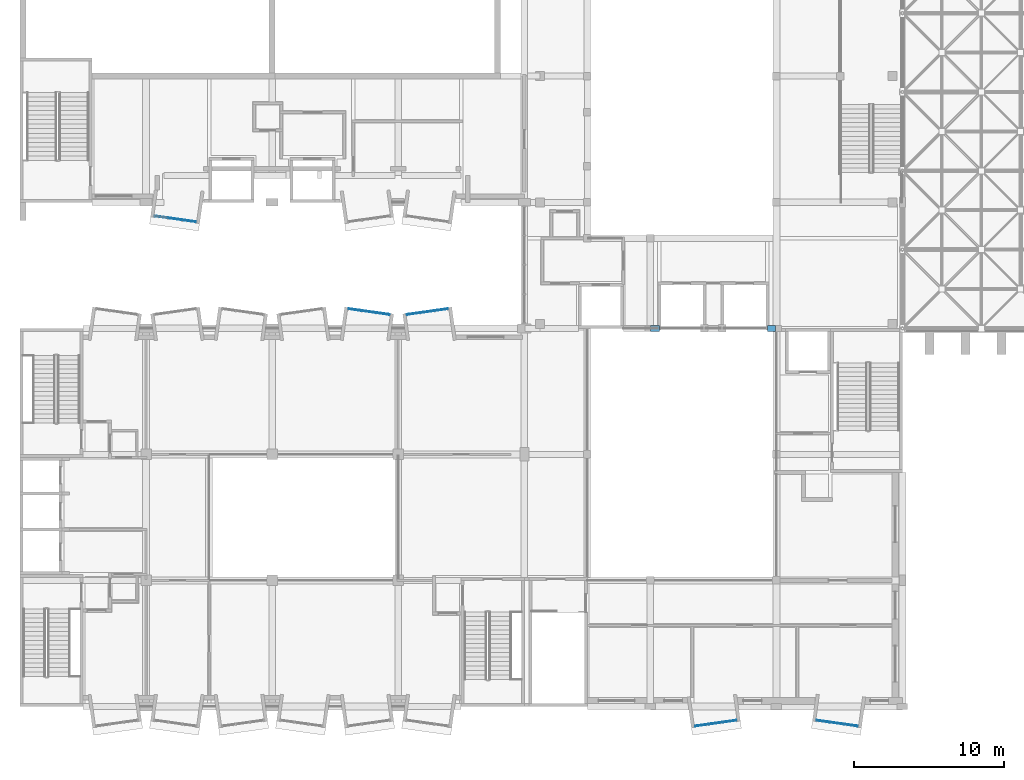
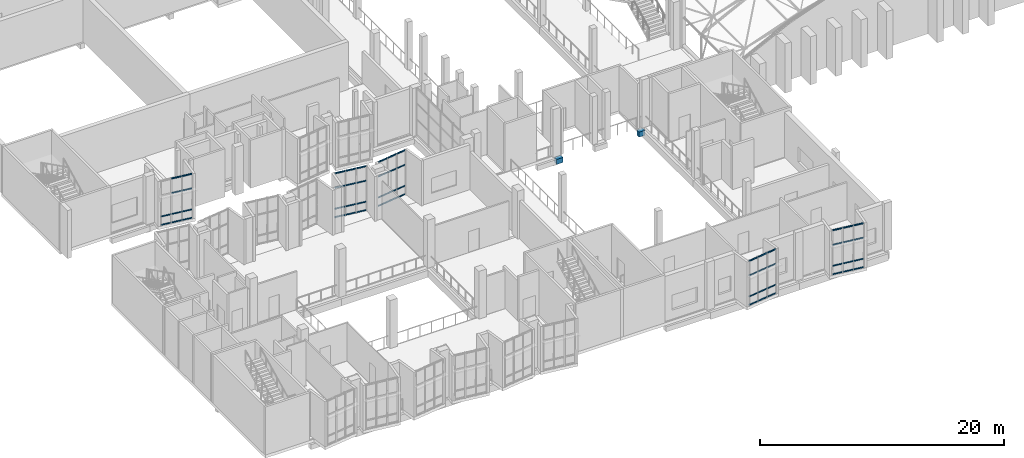
# One storey, part 48 of 100: 58 members, 2 beams, 5 elements without a shape of their own.
"""IFC4 building model written with IfcOpenShell, lengths in metres."""

import ifcopenshell
import ifcopenshell.guid

model = None  # the IFC model being written
_history = None  # IfcOwnerHistory: only IFC2X3 demands one
_inside = {}  # id of a spatial element -> (the spatial element, [elements in it])
_under = {}  # id of a project, library or spatial element -> (it, [spatial elements below it])
_declared = {}  # id of a project -> (the project, [libraries it declares])
_typed = {}  # id of a type object -> (the type object, [elements of that type])
_made_of = {}  # id of a material, layer set ... -> (it, [elements and type objects made of it])


def new_model(schema):
    """Start an empty IFC model of exactly this schema.

    Asked for "IFC4X3", IfcOpenShell would pick the latest addendum, in which some entities
    have other attributes; the version numbers below select the first issue.
    IFC2X3 requires an IfcOwnerHistory on every rooted entity: one is made here for all.
    """
    global model, _history
    if schema == "IFC4X3":
        model = ifcopenshell.file(schema_version=(4, 3, 0, 0))
    else:
        model = ifcopenshell.file(schema=schema)
    _inside.clear()
    _under.clear()
    _declared.clear()
    _typed.clear()
    _made_of.clear()
    _history = None
    if model.schema == "IFC2X3":
        org = make("IfcOrganization", Name="unknown")
        user = make(
            "IfcPersonAndOrganization",
            ThePerson=make("IfcPerson", FamilyName="unknown"),
            TheOrganization=org,
        )
        app = make(
            "IfcApplication",
            ApplicationDeveloper=org,
            Version="unknown",
            ApplicationFullName="unknown",
            ApplicationIdentifier="unknown",
        )
        _history = make(
            "IfcOwnerHistory",
            OwningUser=user,
            OwningApplication=app,
            ChangeAction="ADDED",
            CreationDate=0,
        )
    return model


def make(cls, **values):
    """One entity of the class cls with the attributes given. An attribute that is None is left unset."""
    return model.create_entity(
        cls, **{name: value for name, value in values.items() if value is not None}
    )


def rooted(cls, **values):
    """An entity with a GlobalId (a new one), such as an element, a storey or a relation."""
    return make(cls, GlobalId=ifcopenshell.guid.new(), OwnerHistory=_history, **values)


def si_unit(unit_type, name, prefix=None):
    """IfcSIUnit, for example si_unit("LENGTHUNIT", "METRE", prefix="MILLI")."""
    return make("IfcSIUnit", UnitType=unit_type, Prefix=prefix, Name=name)


def assignment(units):
    """IfcUnitAssignment: the units of a project."""
    return None if units is None else make("IfcUnitAssignment", Units=units)


def point(xyz):
    """IfcCartesianPoint."""
    return None if xyz is None else make("IfcCartesianPoint", Coordinates=xyz)


def direction(xyz):
    """IfcDirection."""
    return None if xyz is None else make("IfcDirection", DirectionRatios=xyz)


def frame(location, z_axis=None, x_axis=None):
    """IfcAxis2Placement3D, a coordinate frame: its origin and axes. An axis left out is left unset."""
    return make(
        "IfcAxis2Placement3D",
        Location=point(location),
        Axis=direction(z_axis),
        RefDirection=direction(x_axis),
    )


def frame_2d(location, x_axis=None):
    """IfcAxis2Placement2D, a coordinate frame in the plane: its origin and x axis."""
    return make(
        "IfcAxis2Placement2D", Location=point(location), RefDirection=direction(x_axis)
    )


def origin():
    """The frame at (0, 0, 0) with its axes left unset."""
    return frame((0.0, 0.0, 0.0))


def origin_2d():
    """The frame at (0, 0) in the plane with its x axis left unset."""
    return frame_2d((0.0, 0.0))


def place(relative_to, where):
    """IfcLocalPlacement: puts the frame where relative to a parent placement (None: the world)."""
    return make(
        "IfcLocalPlacement", PlacementRelTo=relative_to, RelativePlacement=where
    )


def context(
    kind, dimensions, precision=None, world=None, true_north=None, identifier=None
):
    """IfcGeometricRepresentationContext, for example the 3D "Model" context."""
    return make(
        "IfcGeometricRepresentationContext",
        ContextIdentifier=identifier,
        ContextType=kind,
        CoordinateSpaceDimension=dimensions,
        Precision=precision,
        WorldCoordinateSystem=world,
        TrueNorth=true_north,
    )


def subcontext(parent, identifier, kind, view, scale=None):
    """IfcGeometricRepresentationSubContext, for example "Body" below "Model"."""
    return make(
        "IfcGeometricRepresentationSubContext",
        ContextIdentifier=identifier,
        ContextType=kind,
        ParentContext=parent,
        TargetScale=scale,
        TargetView=view,
    )


def project(units=None, contexts=None):
    """IfcProject with its units and contexts."""
    return rooted(
        "IfcProject",
        Name="project",
        RepresentationContexts=contexts,
        UnitsInContext=assignment(units),
    )


def spatial(cls, under=None, at=None, **own):
    """A site, building, storey or space (cls), placed at a placement, below another one or the project."""
    s = rooted(cls, ObjectPlacement=at, **own)
    if under is not None:
        _under.setdefault(under.id(), (under, []))[1].append(s)
    return s


def profile(cls, at=None, kind="AREA", **sizes):
    """A parametric profile (cls). Its sizes go by their IFC names, for example OverallWidth=200.0."""
    return make(cls, ProfileType=kind, Position=at, **sizes)


def rectangle(**sizes):
    """IfcRectangleProfileDef."""
    return profile("IfcRectangleProfileDef", **sizes)


def extrude(swept, where, along, depth):
    """IfcExtrudedAreaSolid: the profile swept, set in the frame where, extruded along a direction by depth."""
    return make(
        "IfcExtrudedAreaSolid",
        SweptArea=swept,
        Position=where,
        ExtrudedDirection=direction(along),
        Depth=depth,
    )


def shape(context_of_items, identifier, shape_type, items):
    """IfcShapeRepresentation: the items that make up one representation, for example the "Body"."""
    return make(
        "IfcShapeRepresentation",
        ContextOfItems=context_of_items,
        RepresentationIdentifier=identifier,
        RepresentationType=shape_type,
        Items=items,
    )


def material(Name=None, Category=None):
    """IfcMaterial."""
    return make("IfcMaterial", Name=Name, Category=Category)


def layer(
    of_material, thickness, ventilated=None, Name=None, Category=None, Priority=None
):
    """IfcMaterialLayer: one layer of a wall or slab, of a material (None: an air gap)."""
    return make(
        "IfcMaterialLayer",
        Material=of_material,
        LayerThickness=thickness,
        IsVentilated=ventilated,
        Name=Name,
        Category=Category,
        Priority=Priority,
    )


def layer_set(layers, Name=None):
    """IfcMaterialLayerSet."""
    return make("IfcMaterialLayerSet", MaterialLayers=layers, LayerSetName=Name)


def material_profile(
    of_material, cross_section, Name=None, Category=None, Priority=None
):
    """IfcMaterialProfile: a cross section and its material."""
    return make(
        "IfcMaterialProfile",
        Name=Name,
        Material=of_material,
        Profile=cross_section,
        Priority=Priority,
        Category=Category,
    )


def profile_set(profiles, Name=None, composite=None):
    """IfcMaterialProfileSet."""
    return make(
        "IfcMaterialProfileSet",
        Name=Name,
        MaterialProfiles=profiles,
        CompositeProfile=composite,
    )


def made_of(thing, what):
    """Note that an element or type object is made of a material, layer set ...; save() writes the relation."""
    if what is not None:
        _made_of.setdefault(what.id(), (what, []))[1].append(thing)
    return thing


def type_object(cls, material=None, **own):
    """A type object (cls), such as IfcWallType, which elements share."""
    return made_of(rooted(cls, **own), material)


def element(
    cls,
    number,
    at=None,
    inside=None,
    cuts=None,
    type_object=None,
    material=None,
    context=None,
    identifier="Body",
    shape_type=None,
    held_by="IfcProductDefinitionShape",
    body=None,
    shapes=None,
    **own,
):
    """One element of the class cls, such as IfcWall. Its Tag is "e" and its number.

    at: its placement. inside: the storey or other place that contains it. cuts: it is an
    opening in that element (IfcRelVoidsElement). A single representation is given by context,
    identifier, shape_type and body (its items); several are given by shapes. held_by: the class
    of the entity that holds the representations. save() writes the other relations.
    """
    e = rooted(cls, Tag="e%d" % number, ObjectPlacement=at, **own)
    if body is not None:
        shapes = [shape(context, identifier, shape_type, body)]
    if shapes is not None:
        e.Representation = make(held_by, Representations=shapes)
    if inside is not None:
        _inside.setdefault(inside.id(), (inside, []))[1].append(e)
    if cuts is not None:
        rooted(
            "IfcRelVoidsElement", RelatingBuildingElement=cuts, RelatedOpeningElement=e
        )
    if type_object is not None:
        _typed.setdefault(type_object.id(), (type_object, []))[1].append(e)
    return made_of(e, material)


def aggregate(whole, parts):
    """IfcRelAggregates: a whole, such as a stair, and the parts it consists of."""
    return rooted("IfcRelAggregates", RelatingObject=whole, RelatedObjects=parts)


def save(model, path):
    """Write the relations noted so far, then the file.

    IfcRelAggregates (storeys below a building ...), IfcRelContainedInSpatialStructure (elements
    in a storey), IfcRelDefinesByType, IfcRelAssociatesMaterial and IfcRelDeclares: one each for
    every whole, place, type object, material and project.
    """
    for whole, parts in _under.values():
        aggregate(whole, parts)
    for where, things in _inside.values():
        rooted(
            "IfcRelContainedInSpatialStructure",
            RelatedElements=things,
            RelatingStructure=where,
        )
    for kind, things in _typed.values():
        rooted("IfcRelDefinesByType", RelatedObjects=things, RelatingType=kind)
    for what, things in _made_of.values():
        rooted("IfcRelAssociatesMaterial", RelatedObjects=things, RelatingMaterial=what)
    for by, libraries in _declared.values():
        rooted("IfcRelDeclares", RelatingContext=by, RelatedDefinitions=libraries)
    model.write(path)


model = new_model("IFC4")

# Units and contexts
model_context = context("Model", 3, precision=1e-05, world=origin(), true_north=direction((0.0, 1.0)))
body_context = subcontext(model_context, "Body", "Model", "MODEL_VIEW")
ifc_project = project(units=[si_unit("LENGTHUNIT", "METRE"), si_unit("AREAUNIT", "SQUARE_METRE"), si_unit("VOLUMEUNIT", "CUBIC_METRE"), si_unit("PLANEANGLEUNIT", "RADIAN"), si_unit("MASSUNIT", "GRAM", prefix="KILO")], contexts=[model_context])

# Site, building, storey
site_placement = place(None, origin())
site = spatial("IfcSite", under=ifc_project, at=site_placement, CompositionType="ELEMENT")
building_placement = place(site_placement, origin())
building = spatial("IfcBuilding", under=site, at=building_placement, Name="Kiln Court Media Centre", CompositionType="ELEMENT")
storey_placement = place(building_placement, frame((0.0, 0.0, 15.0)))
storey = spatial("IfcBuildingStorey", under=building, at=storey_placement, Name="L03", CompositionType="ELEMENT", Elevation=15.0)

# Curtain wall, members
ifc_material_1 = material(Name="Aluminium 6063-T6", Category="aluminium")
ifc_layer = layer(ifc_material_1, 0.1201171875)
ifc_layer_set = layer_set([ifc_layer], Name="Aluminium unitised bay curtain wall")
curtain_wall_type = type_object("IfcCurtainWallType", Name="Aluminium unitised bay curtain wall", PredefinedType="USERDEFINED", material=ifc_layer_set)
curtain_wall_1_placement = place(storey_placement, origin())
curtain_wall_1 = element("IfcCurtainWall", 1, at=curtain_wall_1_placement, inside=storey, type_object=curtain_wall_type, Name="BAY V4-S-L03-17 front", ObjectType="UNITISED CURTAIN WALL", PredefinedType="USERDEFINED")
ifc_material_2 = material(Name="Aluminium 6063-T6", Category="aluminium")
ifc_material_profile_1 = material_profile(ifc_material_2, rectangle(XDim=0.06005859375, YDim=0.1201171875, at=origin_2d()), Name="Aluminium transom 60x120")
ifc_profile_set_1 = profile_set([ifc_material_profile_1], Name="Aluminium 6063-T6")
member_type = type_object("IfcMemberType", Name="Aluminium transom 60x120", PredefinedType="USERDEFINED", material=ifc_profile_set_1)
member_1_placement = place(storey_placement, frame((8.982421875, 32.68212890625, 0.06005859375), z_axis=(0.990273563383, -0.139133998951, 0.0), x_axis=(0.139133998951, 0.990273563383, 0.0)))
member_1 = element("IfcMember", 2, at=member_1_placement, type_object=member_type, Name="CW3-01 transom 1.1", ObjectType="TRANSOM", PredefinedType="USERDEFINED", context=body_context, shape_type="SweptSolid", body=[
    extrude(rectangle(XDim=0.06005859375, YDim=0.1201171875, at=origin_2d()), origin(), (0.0, 0.0, 1.0), 0.866943359375),
])
member_2_placement = place(storey_placement, frame((8.982421875, 32.68212890625, 0.89990234375), z_axis=(0.990273563383, -0.139133998951, 0.0), x_axis=(0.139133998951, 0.990273563383, 0.0)))
member_2 = element("IfcMember", 3, at=member_2_placement, type_object=member_type, Name="CW3-01 transom 1.2", ObjectType="TRANSOM", PredefinedType="USERDEFINED", context=body_context, shape_type="SweptSolid", body=[
    extrude(rectangle(XDim=0.06005859375, YDim=0.1201171875, at=origin_2d()), origin(), (0.0, 0.0, 1.0), 0.866943359375),
])
member_3_placement = place(storey_placement, frame((9.900146484375, 32.55322265625, 0.06005859375), z_axis=(0.990273584723, -0.13913384707, 0.0), x_axis=(0.13913384707, 0.990273584723, 0.0)))
member_3 = element("IfcMember", 4, at=member_3_placement, type_object=member_type, Name="CW3-01 transom 2.1", ObjectType="TRANSOM", PredefinedType="USERDEFINED", context=body_context, shape_type="SweptSolid", body=[
    extrude(rectangle(XDim=0.06005859375, YDim=0.1201171875, at=origin_2d()), origin(), (0.0, 0.0, 1.0), 0.896728515625),
])
member_4_placement = place(storey_placement, frame((9.900146484375, 32.55322265625, 0.89990234375), z_axis=(0.990273584723, -0.13913384707, 0.0), x_axis=(0.13913384707, 0.990273584723, 0.0)))
member_4 = element("IfcMember", 5, at=member_4_placement, type_object=member_type, Name="CW3-01 transom 2.2", ObjectType="TRANSOM", PredefinedType="USERDEFINED", context=body_context, shape_type="SweptSolid", body=[
    extrude(rectangle(XDim=0.06005859375, YDim=0.1201171875, at=origin_2d()), origin(), (0.0, 0.0, 1.0), 0.896728515625),
])
member_5_placement = place(storey_placement, frame((9.900146484375, 32.55322265625, 3.0), z_axis=(0.990273584723, -0.13913384707, 0.0), x_axis=(0.13913384707, 0.990273584723, 0.0)))
member_5 = element("IfcMember", 6, at=member_5_placement, type_object=member_type, Name="CW3-01 transom 2.3", ObjectType="TRANSOM", PredefinedType="USERDEFINED", context=body_context, shape_type="SweptSolid", body=[
    extrude(rectangle(XDim=0.06005859375, YDim=0.1201171875, at=origin_2d()), origin(), (0.0, 0.0, 1.0), 0.896728515625),
])
member_6_placement = place(storey_placement, frame((9.900146484375, 32.55322265625, 4.43994140625), z_axis=(0.990273584723, -0.13913384707, 0.0), x_axis=(0.13913384707, 0.990273584723, 0.0)))
member_6 = element("IfcMember", 7, at=member_6_placement, type_object=member_type, Name="CW3-01 transom 2.4", ObjectType="TRANSOM", PredefinedType="USERDEFINED", context=body_context, shape_type="SweptSolid", body=[
    extrude(rectangle(XDim=0.06005859375, YDim=0.1201171875, at=origin_2d()), origin(), (0.0, 0.0, 1.0), 0.896728515625),
])
member_7_placement = place(storey_placement, frame((10.84765625, 32.420166015625, 0.06005859375), z_axis=(0.990268108888, -0.139172815303, 0.0), x_axis=(0.139172815303, 0.990268108888, 0.0)))
member_7 = element("IfcMember", 8, at=member_7_placement, type_object=member_type, Name="CW3-01 transom 3.1", ObjectType="TRANSOM", PredefinedType="USERDEFINED", context=body_context, shape_type="SweptSolid", body=[
    extrude(rectangle(XDim=0.06005859375, YDim=0.1201171875, at=origin_2d()), origin(), (0.0, 0.0, 1.0), 0.86669921875),
])
member_8_placement = place(storey_placement, frame((10.84765625, 32.420166015625, 0.89990234375), z_axis=(0.990268108888, -0.139172815303, 0.0), x_axis=(0.139172815303, 0.990268108888, 0.0)))
member_8 = element("IfcMember", 9, at=member_8_placement, type_object=member_type, Name="CW3-01 transom 3.2", ObjectType="TRANSOM", PredefinedType="USERDEFINED", context=body_context, shape_type="SweptSolid", body=[
    extrude(rectangle(XDim=0.06005859375, YDim=0.1201171875, at=origin_2d()), origin(), (0.0, 0.0, 1.0), 0.86669921875),
])
member_9_placement = place(storey_placement, frame((10.84765625, 32.420166015625, 3.0), z_axis=(0.990268108888, -0.139172815303, 0.0), x_axis=(0.139172815303, 0.990268108888, 0.0)))
member_9 = element("IfcMember", 10, at=member_9_placement, type_object=member_type, Name="CW3-01 transom 3.3", ObjectType="TRANSOM", PredefinedType="USERDEFINED", context=body_context, shape_type="SweptSolid", body=[
    extrude(rectangle(XDim=0.06005859375, YDim=0.1201171875, at=origin_2d()), origin(), (0.0, 0.0, 1.0), 0.86669921875),
])
member_10_placement = place(storey_placement, frame((10.84765625, 32.420166015625, 4.43994140625), z_axis=(0.990268108888, -0.139172815303, 0.0), x_axis=(0.139172815303, 0.990268108888, 0.0)))
member_10 = element("IfcMember", 11, at=member_10_placement, type_object=member_type, Name="CW3-01 transom 3.4", ObjectType="TRANSOM", PredefinedType="USERDEFINED", context=body_context, shape_type="SweptSolid", body=[
    extrude(rectangle(XDim=0.06005859375, YDim=0.1201171875, at=origin_2d()), origin(), (0.0, 0.0, 1.0), 0.86669921875),
])
aggregate(curtain_wall_1, [member_1, member_2, member_3, member_4, member_5, member_6, member_7, member_8, member_9, member_10])

curtain_wall_2_placement = place(storey_placement, origin())
curtain_wall_2 = element("IfcCurtainWall", 12, at=curtain_wall_2_placement, inside=storey, type_object=curtain_wall_type, Name="BAY V6A-N-L03-20 front", ObjectType="UNITISED CURTAIN WALL", PredefinedType="USERDEFINED")
member_11_placement = place(storey_placement, frame((21.894287109375, 26.50048828125, 0.06005859375), z_axis=(0.990268108888, -0.139172815303, 0.0), x_axis=(0.139172815303, 0.990268108888, 0.0)))
member_11 = element("IfcMember", 13, at=member_11_placement, type_object=member_type, Name="CW3-08 transom 1.1", ObjectType="TRANSOM", PredefinedType="USERDEFINED", context=body_context, shape_type="SweptSolid", body=[
    extrude(rectangle(XDim=0.06005859375, YDim=0.1201171875, at=origin_2d()), origin(), (0.0, 0.0, 1.0), 0.86669921875),
])
member_12_placement = place(storey_placement, frame((21.894287109375, 26.50048828125, 0.89990234375), z_axis=(0.990268108888, -0.139172815303, 0.0), x_axis=(0.139172815303, 0.990268108888, 0.0)))
member_12 = element("IfcMember", 14, at=member_12_placement, type_object=member_type, Name="CW3-08 transom 1.2", ObjectType="TRANSOM", PredefinedType="USERDEFINED", context=body_context, shape_type="SweptSolid", body=[
    extrude(rectangle(XDim=0.06005859375, YDim=0.1201171875, at=origin_2d()), origin(), (0.0, 0.0, 1.0), 0.86669921875),
])
member_13_placement = place(storey_placement, frame((21.894287109375, 26.50048828125, 3.0), z_axis=(0.990268108888, -0.139172815303, 0.0), x_axis=(0.139172815303, 0.990268108888, 0.0)))
member_13 = element("IfcMember", 15, at=member_13_placement, type_object=member_type, Name="CW3-08 transom 1.3", ObjectType="TRANSOM", PredefinedType="USERDEFINED", context=body_context, shape_type="SweptSolid", body=[
    extrude(rectangle(XDim=0.06005859375, YDim=0.1201171875, at=origin_2d()), origin(), (0.0, 0.0, 1.0), 0.86669921875),
])
member_14_placement = place(storey_placement, frame((21.894287109375, 26.50048828125, 4.43994140625), z_axis=(0.990268108888, -0.139172815303, 0.0), x_axis=(0.139172815303, 0.990268108888, 0.0)))
member_14 = element("IfcMember", 16, at=member_14_placement, type_object=member_type, Name="CW3-08 transom 1.4", ObjectType="TRANSOM", PredefinedType="USERDEFINED", context=body_context, shape_type="SweptSolid", body=[
    extrude(rectangle(XDim=0.06005859375, YDim=0.1201171875, at=origin_2d()), origin(), (0.0, 0.0, 1.0), 0.86669921875),
])
member_15_placement = place(storey_placement, frame((22.811767578125, 26.37158203125, 0.06005859375), z_axis=(0.990273584723, -0.13913384707, 0.0), x_axis=(0.13913384707, 0.990273584723, 0.0)))
member_15 = element("IfcMember", 17, at=member_15_placement, type_object=member_type, Name="CW3-08 transom 2.1", ObjectType="TRANSOM", PredefinedType="USERDEFINED", context=body_context, shape_type="SweptSolid", body=[
    extrude(rectangle(XDim=0.06005859375, YDim=0.1201171875, at=origin_2d()), origin(), (0.0, 0.0, 1.0), 0.896728515625),
])
member_16_placement = place(storey_placement, frame((22.811767578125, 26.37158203125, 0.89990234375), z_axis=(0.990273584723, -0.13913384707, 0.0), x_axis=(0.13913384707, 0.990273584723, 0.0)))
member_16 = element("IfcMember", 18, at=member_16_placement, type_object=member_type, Name="CW3-08 transom 2.2", ObjectType="TRANSOM", PredefinedType="USERDEFINED", context=body_context, shape_type="SweptSolid", body=[
    extrude(rectangle(XDim=0.06005859375, YDim=0.1201171875, at=origin_2d()), origin(), (0.0, 0.0, 1.0), 0.896728515625),
])
member_17_placement = place(storey_placement, frame((22.811767578125, 26.37158203125, 3.0), z_axis=(0.990273584723, -0.13913384707, 0.0), x_axis=(0.13913384707, 0.990273584723, 0.0)))
member_17 = element("IfcMember", 19, at=member_17_placement, type_object=member_type, Name="CW3-08 transom 2.3", ObjectType="TRANSOM", PredefinedType="USERDEFINED", context=body_context, shape_type="SweptSolid", body=[
    extrude(rectangle(XDim=0.06005859375, YDim=0.1201171875, at=origin_2d()), origin(), (0.0, 0.0, 1.0), 0.896728515625),
])
member_18_placement = place(storey_placement, frame((22.811767578125, 26.37158203125, 4.43994140625), z_axis=(0.990273584723, -0.13913384707, 0.0), x_axis=(0.13913384707, 0.990273584723, 0.0)))
member_18 = element("IfcMember", 20, at=member_18_placement, type_object=member_type, Name="CW3-08 transom 2.4", ObjectType="TRANSOM", PredefinedType="USERDEFINED", context=body_context, shape_type="SweptSolid", body=[
    extrude(rectangle(XDim=0.06005859375, YDim=0.1201171875, at=origin_2d()), origin(), (0.0, 0.0, 1.0), 0.896728515625),
])
member_19_placement = place(storey_placement, frame((23.75927734375, 26.23828125, 0.06005859375), z_axis=(0.990268108888, -0.139172815303, 0.0), x_axis=(0.139172815303, 0.990268108888, 0.0)))
member_19 = element("IfcMember", 21, at=member_19_placement, type_object=member_type, Name="CW3-08 transom 3.1", ObjectType="TRANSOM", PredefinedType="USERDEFINED", context=body_context, shape_type="SweptSolid", body=[
    extrude(rectangle(XDim=0.06005859375, YDim=0.1201171875, at=origin_2d()), origin(), (0.0, 0.0, 1.0), 0.86669921875),
])
member_20_placement = place(storey_placement, frame((23.75927734375, 26.23828125, 0.89990234375), z_axis=(0.990268108888, -0.139172815303, 0.0), x_axis=(0.139172815303, 0.990268108888, 0.0)))
member_20 = element("IfcMember", 22, at=member_20_placement, type_object=member_type, Name="CW3-08 transom 3.2", ObjectType="TRANSOM", PredefinedType="USERDEFINED", context=body_context, shape_type="SweptSolid", body=[
    extrude(rectangle(XDim=0.06005859375, YDim=0.1201171875, at=origin_2d()), origin(), (0.0, 0.0, 1.0), 0.86669921875),
])
member_21_placement = place(storey_placement, frame((23.75927734375, 26.23828125, 3.0), z_axis=(0.990268108888, -0.139172815303, 0.0), x_axis=(0.139172815303, 0.990268108888, 0.0)))
member_21 = element("IfcMember", 23, at=member_21_placement, type_object=member_type, Name="CW3-08 transom 3.3", ObjectType="TRANSOM", PredefinedType="USERDEFINED", context=body_context, shape_type="SweptSolid", body=[
    extrude(rectangle(XDim=0.06005859375, YDim=0.1201171875, at=origin_2d()), origin(), (0.0, 0.0, 1.0), 0.86669921875),
])
member_22_placement = place(storey_placement, frame((23.75927734375, 26.23828125, 4.43994140625), z_axis=(0.990268108888, -0.139172815303, 0.0), x_axis=(0.139172815303, 0.990268108888, 0.0)))
member_22 = element("IfcMember", 24, at=member_22_placement, type_object=member_type, Name="CW3-08 transom 3.4", ObjectType="TRANSOM", PredefinedType="USERDEFINED", context=body_context, shape_type="SweptSolid", body=[
    extrude(rectangle(XDim=0.06005859375, YDim=0.1201171875, at=origin_2d()), origin(), (0.0, 0.0, 1.0), 0.86669921875),
])
aggregate(curtain_wall_2, [member_11, member_12, member_13, member_14, member_15, member_16, member_17, member_18, member_19, member_20, member_21, member_22])

curtain_wall_3_placement = place(storey_placement, origin())
curtain_wall_3 = element("IfcCurtainWall", 25, at=curtain_wall_3_placement, inside=storey, type_object=curtain_wall_type, Name="BAY V6A-N-L03-21 front", ObjectType="UNITISED CURTAIN WALL", PredefinedType="USERDEFINED")
member_23_placement = place(storey_placement, frame((25.782470703125, 26.11767578125, 0.06005859375), z_axis=(0.990273563383, 0.139133998951, 0.0), x_axis=(-0.139133998951, 0.990273563383, 0.0)))
member_23 = element("IfcMember", 26, at=member_23_placement, type_object=member_type, Name="CW3-09 transom 1.1", ObjectType="TRANSOM", PredefinedType="USERDEFINED", context=body_context, shape_type="SweptSolid", body=[
    extrude(rectangle(XDim=0.06005859375, YDim=0.1201171875, at=origin_2d()), origin(), (0.0, 0.0, 1.0), 0.866943359375),
])
member_24_placement = place(storey_placement, frame((25.782470703125, 26.11767578125, 0.89990234375), z_axis=(0.990273563383, 0.139133998951, 0.0), x_axis=(-0.139133998951, 0.990273563383, 0.0)))
member_24 = element("IfcMember", 27, at=member_24_placement, type_object=member_type, Name="CW3-09 transom 1.2", ObjectType="TRANSOM", PredefinedType="USERDEFINED", context=body_context, shape_type="SweptSolid", body=[
    extrude(rectangle(XDim=0.06005859375, YDim=0.1201171875, at=origin_2d()), origin(), (0.0, 0.0, 1.0), 0.866943359375),
])
member_25_placement = place(storey_placement, frame((25.782470703125, 26.11767578125, 3.0), z_axis=(0.990273563383, 0.139133998951, 0.0), x_axis=(-0.139133998951, 0.990273563383, 0.0)))
member_25 = element("IfcMember", 28, at=member_25_placement, type_object=member_type, Name="CW3-09 transom 1.3", ObjectType="TRANSOM", PredefinedType="USERDEFINED", context=body_context, shape_type="SweptSolid", body=[
    extrude(rectangle(XDim=0.06005859375, YDim=0.1201171875, at=origin_2d()), origin(), (0.0, 0.0, 1.0), 0.866943359375),
])
member_26_placement = place(storey_placement, frame((25.782470703125, 26.11767578125, 4.43994140625), z_axis=(0.990273563383, 0.139133998951, 0.0), x_axis=(-0.139133998951, 0.990273563383, 0.0)))
member_26 = element("IfcMember", 29, at=member_26_placement, type_object=member_type, Name="CW3-09 transom 1.4", ObjectType="TRANSOM", PredefinedType="USERDEFINED", context=body_context, shape_type="SweptSolid", body=[
    extrude(rectangle(XDim=0.06005859375, YDim=0.1201171875, at=origin_2d()), origin(), (0.0, 0.0, 1.0), 0.866943359375),
])
member_27_placement = place(storey_placement, frame((26.7001953125, 26.246826171875, 0.06005859375), z_axis=(0.990273584723, 0.13913384707, 0.0), x_axis=(-0.13913384707, 0.990273584723, 0.0)))
member_27 = element("IfcMember", 30, at=member_27_placement, type_object=member_type, Name="CW3-09 transom 2.1", ObjectType="TRANSOM", PredefinedType="USERDEFINED", context=body_context, shape_type="SweptSolid", body=[
    extrude(rectangle(XDim=0.06005859375, YDim=0.1201171875, at=origin_2d()), origin(), (0.0, 0.0, 1.0), 0.896728515625),
])
member_28_placement = place(storey_placement, frame((26.7001953125, 26.246826171875, 0.89990234375), z_axis=(0.990273584723, 0.13913384707, 0.0), x_axis=(-0.13913384707, 0.990273584723, 0.0)))
member_28 = element("IfcMember", 31, at=member_28_placement, type_object=member_type, Name="CW3-09 transom 2.2", ObjectType="TRANSOM", PredefinedType="USERDEFINED", context=body_context, shape_type="SweptSolid", body=[
    extrude(rectangle(XDim=0.06005859375, YDim=0.1201171875, at=origin_2d()), origin(), (0.0, 0.0, 1.0), 0.896728515625),
])
member_29_placement = place(storey_placement, frame((26.7001953125, 26.246826171875, 3.0), z_axis=(0.990273584723, 0.13913384707, 0.0), x_axis=(-0.13913384707, 0.990273584723, 0.0)))
member_29 = element("IfcMember", 32, at=member_29_placement, type_object=member_type, Name="CW3-09 transom 2.3", ObjectType="TRANSOM", PredefinedType="USERDEFINED", context=body_context, shape_type="SweptSolid", body=[
    extrude(rectangle(XDim=0.06005859375, YDim=0.1201171875, at=origin_2d()), origin(), (0.0, 0.0, 1.0), 0.896728515625),
])
member_30_placement = place(storey_placement, frame((26.7001953125, 26.246826171875, 4.43994140625), z_axis=(0.990273584723, 0.13913384707, 0.0), x_axis=(-0.13913384707, 0.990273584723, 0.0)))
member_30 = element("IfcMember", 33, at=member_30_placement, type_object=member_type, Name="CW3-09 transom 2.4", ObjectType="TRANSOM", PredefinedType="USERDEFINED", context=body_context, shape_type="SweptSolid", body=[
    extrude(rectangle(XDim=0.06005859375, YDim=0.1201171875, at=origin_2d()), origin(), (0.0, 0.0, 1.0), 0.896728515625),
])
member_31_placement = place(storey_placement, frame((27.6474609375, 26.3798828125, 0.06005859375), z_axis=(0.990273563383, 0.139133998951, 0.0), x_axis=(-0.139133998951, 0.990273563383, 0.0)))
member_31 = element("IfcMember", 34, at=member_31_placement, type_object=member_type, Name="CW3-09 transom 3.1", ObjectType="TRANSOM", PredefinedType="USERDEFINED", context=body_context, shape_type="SweptSolid", body=[
    extrude(rectangle(XDim=0.06005859375, YDim=0.1201171875, at=origin_2d()), origin(), (0.0, 0.0, 1.0), 0.866943359375),
])
member_32_placement = place(storey_placement, frame((27.6474609375, 26.3798828125, 0.89990234375), z_axis=(0.990273563383, 0.139133998951, 0.0), x_axis=(-0.139133998951, 0.990273563383, 0.0)))
member_32 = element("IfcMember", 35, at=member_32_placement, type_object=member_type, Name="CW3-09 transom 3.2", ObjectType="TRANSOM", PredefinedType="USERDEFINED", context=body_context, shape_type="SweptSolid", body=[
    extrude(rectangle(XDim=0.06005859375, YDim=0.1201171875, at=origin_2d()), origin(), (0.0, 0.0, 1.0), 0.866943359375),
])
member_33_placement = place(storey_placement, frame((27.6474609375, 26.3798828125, 3.0), z_axis=(0.990273563383, 0.139133998951, 0.0), x_axis=(-0.139133998951, 0.990273563383, 0.0)))
member_33 = element("IfcMember", 36, at=member_33_placement, type_object=member_type, Name="CW3-09 transom 3.3", ObjectType="TRANSOM", PredefinedType="USERDEFINED", context=body_context, shape_type="SweptSolid", body=[
    extrude(rectangle(XDim=0.06005859375, YDim=0.1201171875, at=origin_2d()), origin(), (0.0, 0.0, 1.0), 0.866943359375),
])
member_34_placement = place(storey_placement, frame((27.6474609375, 26.3798828125, 4.43994140625), z_axis=(0.990273563383, 0.139133998951, 0.0), x_axis=(-0.139133998951, 0.990273563383, 0.0)))
member_34 = element("IfcMember", 37, at=member_34_placement, type_object=member_type, Name="CW3-09 transom 3.4", ObjectType="TRANSOM", PredefinedType="USERDEFINED", context=body_context, shape_type="SweptSolid", body=[
    extrude(rectangle(XDim=0.06005859375, YDim=0.1201171875, at=origin_2d()), origin(), (0.0, 0.0, 1.0), 0.866943359375),
])
aggregate(curtain_wall_3, [member_23, member_24, member_25, member_26, member_27, member_28, member_29, member_30, member_31, member_32, member_33, member_34])

curtain_wall_4_placement = place(storey_placement, origin())
curtain_wall_4 = element("IfcCurtainWall", 38, at=curtain_wall_4_placement, inside=storey, type_object=curtain_wall_type, Name="BAY V6B-S-L03-07 front", ObjectType="UNITISED CURTAIN WALL", PredefinedType="USERDEFINED")
member_35_placement = place(storey_placement, frame((44.994140625, -1.300537109375, 0.06005859375), z_axis=(0.990273563383, 0.139133998951, 0.0), x_axis=(-0.139133998951, 0.990273563383, 0.0)))
member_35 = element("IfcMember", 39, at=member_35_placement, type_object=member_type, Name="CW3-16 transom 1.1", ObjectType="TRANSOM", PredefinedType="USERDEFINED", context=body_context, shape_type="SweptSolid", body=[
    extrude(rectangle(XDim=0.06005859375, YDim=0.1201171875, at=origin_2d()), origin(), (0.0, 0.0, 1.0), 0.866943359375),
])
member_36_placement = place(storey_placement, frame((44.994140625, -1.300537109375, 0.89990234375), z_axis=(0.990273563383, 0.139133998951, 0.0), x_axis=(-0.139133998951, 0.990273563383, 0.0)))
member_36 = element("IfcMember", 40, at=member_36_placement, type_object=member_type, Name="CW3-16 transom 1.2", ObjectType="TRANSOM", PredefinedType="USERDEFINED", context=body_context, shape_type="SweptSolid", body=[
    extrude(rectangle(XDim=0.06005859375, YDim=0.1201171875, at=origin_2d()), origin(), (0.0, 0.0, 1.0), 0.866943359375),
])
member_37_placement = place(storey_placement, frame((44.994140625, -1.300537109375, 3.0), z_axis=(0.990273563383, 0.139133998951, 0.0), x_axis=(-0.139133998951, 0.990273563383, 0.0)))
member_37 = element("IfcMember", 41, at=member_37_placement, type_object=member_type, Name="CW3-16 transom 1.3", ObjectType="TRANSOM", PredefinedType="USERDEFINED", context=body_context, shape_type="SweptSolid", body=[
    extrude(rectangle(XDim=0.06005859375, YDim=0.1201171875, at=origin_2d()), origin(), (0.0, 0.0, 1.0), 0.866943359375),
])
member_38_placement = place(storey_placement, frame((44.994140625, -1.300537109375, 4.43994140625), z_axis=(0.990273563383, 0.139133998951, 0.0), x_axis=(-0.139133998951, 0.990273563383, 0.0)))
member_38 = element("IfcMember", 42, at=member_38_placement, type_object=member_type, Name="CW3-16 transom 1.4", ObjectType="TRANSOM", PredefinedType="USERDEFINED", context=body_context, shape_type="SweptSolid", body=[
    extrude(rectangle(XDim=0.06005859375, YDim=0.1201171875, at=origin_2d()), origin(), (0.0, 0.0, 1.0), 0.866943359375),
])
member_39_placement = place(storey_placement, frame((45.911865234375, -1.17138671875, 0.06005859375), z_axis=(0.990273584723, 0.13913384707, 0.0), x_axis=(-0.13913384707, 0.990273584723, 0.0)))
member_39 = element("IfcMember", 43, at=member_39_placement, type_object=member_type, Name="CW3-16 transom 2.1", ObjectType="TRANSOM", PredefinedType="USERDEFINED", context=body_context, shape_type="SweptSolid", body=[
    extrude(rectangle(XDim=0.06005859375, YDim=0.1201171875, at=origin_2d()), origin(), (0.0, 0.0, 1.0), 0.896728515625),
])
member_40_placement = place(storey_placement, frame((45.911865234375, -1.17138671875, 0.89990234375), z_axis=(0.990273584723, 0.13913384707, 0.0), x_axis=(-0.13913384707, 0.990273584723, 0.0)))
member_40 = element("IfcMember", 44, at=member_40_placement, type_object=member_type, Name="CW3-16 transom 2.2", ObjectType="TRANSOM", PredefinedType="USERDEFINED", context=body_context, shape_type="SweptSolid", body=[
    extrude(rectangle(XDim=0.06005859375, YDim=0.1201171875, at=origin_2d()), origin(), (0.0, 0.0, 1.0), 0.896728515625),
])
member_41_placement = place(storey_placement, frame((45.911865234375, -1.17138671875, 3.0), z_axis=(0.990273584723, 0.13913384707, 0.0), x_axis=(-0.13913384707, 0.990273584723, 0.0)))
member_41 = element("IfcMember", 45, at=member_41_placement, type_object=member_type, Name="CW3-16 transom 2.3", ObjectType="TRANSOM", PredefinedType="USERDEFINED", context=body_context, shape_type="SweptSolid", body=[
    extrude(rectangle(XDim=0.06005859375, YDim=0.1201171875, at=origin_2d()), origin(), (0.0, 0.0, 1.0), 0.896728515625),
])
member_42_placement = place(storey_placement, frame((45.911865234375, -1.17138671875, 4.43994140625), z_axis=(0.990273584723, 0.13913384707, 0.0), x_axis=(-0.13913384707, 0.990273584723, 0.0)))
member_42 = element("IfcMember", 46, at=member_42_placement, type_object=member_type, Name="CW3-16 transom 2.4", ObjectType="TRANSOM", PredefinedType="USERDEFINED", context=body_context, shape_type="SweptSolid", body=[
    extrude(rectangle(XDim=0.06005859375, YDim=0.1201171875, at=origin_2d()), origin(), (0.0, 0.0, 1.0), 0.896728515625),
])
member_43_placement = place(storey_placement, frame((46.859130859375, -1.038330078125, 0.06005859375), z_axis=(0.990273563383, 0.139133998951, 0.0), x_axis=(-0.139133998951, 0.990273563383, 0.0)))
member_43 = element("IfcMember", 47, at=member_43_placement, type_object=member_type, Name="CW3-16 transom 3.1", ObjectType="TRANSOM", PredefinedType="USERDEFINED", context=body_context, shape_type="SweptSolid", body=[
    extrude(rectangle(XDim=0.06005859375, YDim=0.1201171875, at=origin_2d()), origin(), (0.0, 0.0, 1.0), 0.866943359375),
])
member_44_placement = place(storey_placement, frame((46.859130859375, -1.038330078125, 0.89990234375), z_axis=(0.990273563383, 0.139133998951, 0.0), x_axis=(-0.139133998951, 0.990273563383, 0.0)))
member_44 = element("IfcMember", 48, at=member_44_placement, type_object=member_type, Name="CW3-16 transom 3.2", ObjectType="TRANSOM", PredefinedType="USERDEFINED", context=body_context, shape_type="SweptSolid", body=[
    extrude(rectangle(XDim=0.06005859375, YDim=0.1201171875, at=origin_2d()), origin(), (0.0, 0.0, 1.0), 0.866943359375),
])
member_45_placement = place(storey_placement, frame((46.859130859375, -1.038330078125, 3.0), z_axis=(0.990273563383, 0.139133998951, 0.0), x_axis=(-0.139133998951, 0.990273563383, 0.0)))
member_45 = element("IfcMember", 49, at=member_45_placement, type_object=member_type, Name="CW3-16 transom 3.3", ObjectType="TRANSOM", PredefinedType="USERDEFINED", context=body_context, shape_type="SweptSolid", body=[
    extrude(rectangle(XDim=0.06005859375, YDim=0.1201171875, at=origin_2d()), origin(), (0.0, 0.0, 1.0), 0.866943359375),
])
member_46_placement = place(storey_placement, frame((46.859130859375, -1.038330078125, 4.43994140625), z_axis=(0.990273563383, 0.139133998951, 0.0), x_axis=(-0.139133998951, 0.990273563383, 0.0)))
member_46 = element("IfcMember", 50, at=member_46_placement, type_object=member_type, Name="CW3-16 transom 3.4", ObjectType="TRANSOM", PredefinedType="USERDEFINED", context=body_context, shape_type="SweptSolid", body=[
    extrude(rectangle(XDim=0.06005859375, YDim=0.1201171875, at=origin_2d()), origin(), (0.0, 0.0, 1.0), 0.866943359375),
])
aggregate(curtain_wall_4, [member_35, member_36, member_37, member_38, member_39, member_40, member_41, member_42, member_43, member_44, member_45, member_46])

curtain_wall_5_placement = place(storey_placement, origin())
curtain_wall_5 = element("IfcCurtainWall", 51, at=curtain_wall_5_placement, inside=storey, type_object=curtain_wall_type, Name="BAY V6B-S-L03-08 front", ObjectType="UNITISED CURTAIN WALL", PredefinedType="USERDEFINED")
member_47_placement = place(storey_placement, frame((53.08251953125, -0.917724609375, 0.06005859375), z_axis=(0.990268108888, -0.139172815303, 0.0), x_axis=(0.139172815303, 0.990268108888, 0.0)))
member_47 = element("IfcMember", 52, at=member_47_placement, type_object=member_type, Name="CW3-17 transom 1.1", ObjectType="TRANSOM", PredefinedType="USERDEFINED", context=body_context, shape_type="SweptSolid", body=[
    extrude(rectangle(XDim=0.06005859375, YDim=0.1201171875, at=origin_2d()), origin(), (0.0, 0.0, 1.0), 0.86669921875),
])
member_48_placement = place(storey_placement, frame((53.08251953125, -0.917724609375, 0.89990234375), z_axis=(0.990268108888, -0.139172815303, 0.0), x_axis=(0.139172815303, 0.990268108888, 0.0)))
member_48 = element("IfcMember", 53, at=member_48_placement, type_object=member_type, Name="CW3-17 transom 1.2", ObjectType="TRANSOM", PredefinedType="USERDEFINED", context=body_context, shape_type="SweptSolid", body=[
    extrude(rectangle(XDim=0.06005859375, YDim=0.1201171875, at=origin_2d()), origin(), (0.0, 0.0, 1.0), 0.86669921875),
])
member_49_placement = place(storey_placement, frame((53.08251953125, -0.917724609375, 3.0), z_axis=(0.990268108888, -0.139172815303, 0.0), x_axis=(0.139172815303, 0.990268108888, 0.0)))
member_49 = element("IfcMember", 54, at=member_49_placement, type_object=member_type, Name="CW3-17 transom 1.3", ObjectType="TRANSOM", PredefinedType="USERDEFINED", context=body_context, shape_type="SweptSolid", body=[
    extrude(rectangle(XDim=0.06005859375, YDim=0.1201171875, at=origin_2d()), origin(), (0.0, 0.0, 1.0), 0.86669921875),
])
member_50_placement = place(storey_placement, frame((53.08251953125, -0.917724609375, 4.43994140625), z_axis=(0.990268108888, -0.139172815303, 0.0), x_axis=(0.139172815303, 0.990268108888, 0.0)))
member_50 = element("IfcMember", 55, at=member_50_placement, type_object=member_type, Name="CW3-17 transom 1.4", ObjectType="TRANSOM", PredefinedType="USERDEFINED", context=body_context, shape_type="SweptSolid", body=[
    extrude(rectangle(XDim=0.06005859375, YDim=0.1201171875, at=origin_2d()), origin(), (0.0, 0.0, 1.0), 0.86669921875),
])
member_51_placement = place(storey_placement, frame((54.000244140625, -1.046630859375, 0.06005859375), z_axis=(0.990273584723, -0.13913384707, 0.0), x_axis=(0.13913384707, 0.990273584723, 0.0)))
member_51 = element("IfcMember", 56, at=member_51_placement, type_object=member_type, Name="CW3-17 transom 2.1", ObjectType="TRANSOM", PredefinedType="USERDEFINED", context=body_context, shape_type="SweptSolid", body=[
    extrude(rectangle(XDim=0.06005859375, YDim=0.1201171875, at=origin_2d()), origin(), (0.0, 0.0, 1.0), 0.896728515625),
])
member_52_placement = place(storey_placement, frame((54.000244140625, -1.046630859375, 0.89990234375), z_axis=(0.990273584723, -0.13913384707, 0.0), x_axis=(0.13913384707, 0.990273584723, 0.0)))
member_52 = element("IfcMember", 57, at=member_52_placement, type_object=member_type, Name="CW3-17 transom 2.2", ObjectType="TRANSOM", PredefinedType="USERDEFINED", context=body_context, shape_type="SweptSolid", body=[
    extrude(rectangle(XDim=0.06005859375, YDim=0.1201171875, at=origin_2d()), origin(), (0.0, 0.0, 1.0), 0.896728515625),
])
member_53_placement = place(storey_placement, frame((54.000244140625, -1.046630859375, 3.0), z_axis=(0.990273584723, -0.13913384707, 0.0), x_axis=(0.13913384707, 0.990273584723, 0.0)))
member_53 = element("IfcMember", 58, at=member_53_placement, type_object=member_type, Name="CW3-17 transom 2.3", ObjectType="TRANSOM", PredefinedType="USERDEFINED", context=body_context, shape_type="SweptSolid", body=[
    extrude(rectangle(XDim=0.06005859375, YDim=0.1201171875, at=origin_2d()), origin(), (0.0, 0.0, 1.0), 0.896728515625),
])
member_54_placement = place(storey_placement, frame((54.000244140625, -1.046630859375, 4.43994140625), z_axis=(0.990273584723, -0.13913384707, 0.0), x_axis=(0.13913384707, 0.990273584723, 0.0)))
member_54 = element("IfcMember", 59, at=member_54_placement, type_object=member_type, Name="CW3-17 transom 2.4", ObjectType="TRANSOM", PredefinedType="USERDEFINED", context=body_context, shape_type="SweptSolid", body=[
    extrude(rectangle(XDim=0.06005859375, YDim=0.1201171875, at=origin_2d()), origin(), (0.0, 0.0, 1.0), 0.896728515625),
])
member_55_placement = place(storey_placement, frame((54.947509765625, -1.179931640625, 0.06005859375), z_axis=(0.990268108888, -0.139172815303, 0.0), x_axis=(0.139172815303, 0.990268108888, 0.0)))
member_55 = element("IfcMember", 60, at=member_55_placement, type_object=member_type, Name="CW3-17 transom 3.1", ObjectType="TRANSOM", PredefinedType="USERDEFINED", context=body_context, shape_type="SweptSolid", body=[
    extrude(rectangle(XDim=0.06005859375, YDim=0.1201171875, at=origin_2d()), origin(), (0.0, 0.0, 1.0), 0.86669921875),
])
member_56_placement = place(storey_placement, frame((54.947509765625, -1.179931640625, 0.89990234375), z_axis=(0.990268108888, -0.139172815303, 0.0), x_axis=(0.139172815303, 0.990268108888, 0.0)))
member_56 = element("IfcMember", 61, at=member_56_placement, type_object=member_type, Name="CW3-17 transom 3.2", ObjectType="TRANSOM", PredefinedType="USERDEFINED", context=body_context, shape_type="SweptSolid", body=[
    extrude(rectangle(XDim=0.06005859375, YDim=0.1201171875, at=origin_2d()), origin(), (0.0, 0.0, 1.0), 0.86669921875),
])
member_57_placement = place(storey_placement, frame((54.947509765625, -1.179931640625, 3.0), z_axis=(0.990268108888, -0.139172815303, 0.0), x_axis=(0.139172815303, 0.990268108888, 0.0)))
member_57 = element("IfcMember", 62, at=member_57_placement, type_object=member_type, Name="CW3-17 transom 3.3", ObjectType="TRANSOM", PredefinedType="USERDEFINED", context=body_context, shape_type="SweptSolid", body=[
    extrude(rectangle(XDim=0.06005859375, YDim=0.1201171875, at=origin_2d()), origin(), (0.0, 0.0, 1.0), 0.86669921875),
])
member_58_placement = place(storey_placement, frame((54.947509765625, -1.179931640625, 4.43994140625), z_axis=(0.990268108888, -0.139172815303, 0.0), x_axis=(0.139172815303, 0.990268108888, 0.0)))
member_58 = element("IfcMember", 63, at=member_58_placement, type_object=member_type, Name="CW3-17 transom 3.4", ObjectType="TRANSOM", PredefinedType="USERDEFINED", context=body_context, shape_type="SweptSolid", body=[
    extrude(rectangle(XDim=0.06005859375, YDim=0.1201171875, at=origin_2d()), origin(), (0.0, 0.0, 1.0), 0.86669921875),
])
aggregate(curtain_wall_5, [member_47, member_48, member_49, member_50, member_51, member_52, member_53, member_54, member_55, member_56, member_57, member_58])

# Beams
ifc_material_3 = material(Name="Concrete C30/37", Category="concrete")
ifc_material_profile_2 = material_profile(ifc_material_3, rectangle(XDim=0.39990234375, YDim=0.5, at=origin_2d()), Name="RC 400x500")
ifc_profile_set_2 = profile_set([ifc_material_profile_2], Name="Concrete C30/37")
beam_type = type_object("IfcBeamType", Name="Concrete C30/37 beam 400x500", PredefinedType="BEAM", material=ifc_profile_set_2)
beam_1_placement = place(storey_placement, frame((42.0, 25.199951171875, -0.550048828125), z_axis=(1.0, 0.0, 0.0), x_axis=(0.0, 1.0, 0.0)))
element("IfcBeam", 64, at=beam_1_placement, inside=storey, type_object=beam_type, Name="L03-B-1074", PredefinedType="BEAM", context=body_context, shape_type="SweptSolid", body=[
    extrude(rectangle(XDim=0.39990234375, YDim=0.5, at=origin_2d()), origin(), (0.0, 0.0, 1.0), 0.60107421875),
])
beam_2_placement = place(storey_placement, frame((49.799072265625, 25.199951171875, -0.550048828125), z_axis=(1.0, 0.0, 0.0), x_axis=(0.0, 1.0, 0.0)))
element("IfcBeam", 65, at=beam_2_placement, inside=storey, type_object=beam_type, Name="L03-B-1076", PredefinedType="BEAM", context=body_context, shape_type="SweptSolid", body=[
    extrude(rectangle(XDim=0.39990234375, YDim=0.5, at=origin_2d()), origin(), (0.0, 0.0, 1.0), 0.551025390625),
])

save(model, "model.ifc")
